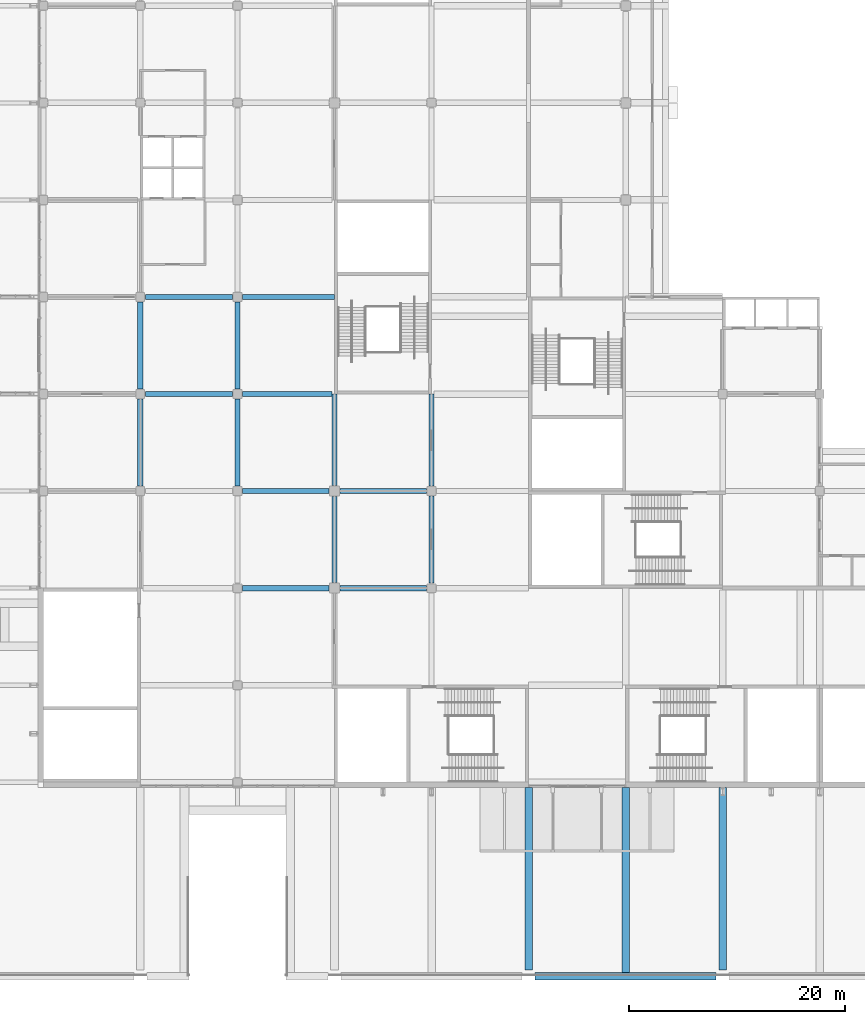
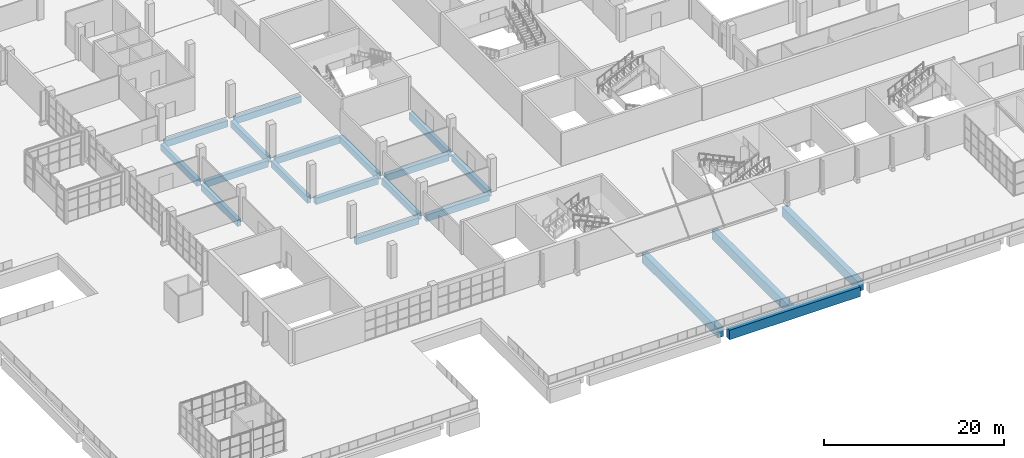
# One storey, part 26 of 168: 20 beams.
"""IFC4 building model written with IfcOpenShell, lengths in metres."""

from ifc_helpers import new_model, si_unit, direction, frame, origin, origin_2d, place, context, subcontext, project, spatial, rectangle, extrude, material, material_profile, profile_set, type_object, element, save


model = new_model("IFC4")

# Units and contexts
model_context = context("Model", 3, precision=1e-05, world=origin(), true_north=direction((0.0, 1.0)))
body_context = subcontext(model_context, "Body", "Model", "MODEL_VIEW")
ifc_project = project(units=[si_unit("LENGTHUNIT", "METRE"), si_unit("AREAUNIT", "SQUARE_METRE"), si_unit("VOLUMEUNIT", "CUBIC_METRE"), si_unit("PLANEANGLEUNIT", "RADIAN"), si_unit("MASSUNIT", "GRAM", prefix="KILO")], contexts=[model_context])

# Site, building, storey
site_placement = place(None, origin())
site = spatial("IfcSite", under=ifc_project, at=site_placement, CompositionType="ELEMENT")
building_placement = place(site_placement, origin())
building = spatial("IfcBuilding", under=site, at=building_placement, Name="Silverbay Arena", CompositionType="ELEMENT")
storey_placement = place(building_placement, frame((0.0, 0.0, 7.0)))
storey = spatial("IfcBuildingStorey", under=building, at=storey_placement, Name="L01", CompositionType="ELEMENT", Elevation=7.0)

# Beams
ifc_material_1 = material(Name="Concrete Grade C45", Category="concrete")
ifc_material_profile_1 = material_profile(ifc_material_1, rectangle(XDim=0.5, YDim=1.0, at=origin_2d()), Name="RC 500x1000")
ifc_profile_set_1 = profile_set([ifc_material_profile_1], Name="Concrete Grade C45")
beam_type_1 = type_object("IfcBeamType", Name="RC beam 500x1000", PredefinedType="BEAM", material=ifc_profile_set_1)
beam_1_placement = place(storey_placement, frame((63.0, 45.449951171875, -0.85009765625), z_axis=(0.0, 1.0, 0.0), x_axis=(-1.0, 0.0, 0.0)))
element("IfcBeam", 1, at=beam_1_placement, inside=storey, type_object=beam_type_1, Name="Floor beam L01 225", PredefinedType="BEAM", context=body_context, shape_type="SweptSolid", body=[
    extrude(rectangle(XDim=0.5, YDim=1.0, at=origin_2d()), origin(), (0.0, 0.0, 1.0), 8.550048828125),
])
ifc_material_2 = material(Name="Concrete Grade C45", Category="concrete")
ifc_material_profile_2 = material_profile(ifc_material_2, rectangle(XDim=0.5, YDim=0.89990234375, at=origin_2d()), Name="RC 500x900")
ifc_profile_set_2 = profile_set([ifc_material_profile_2], Name="Concrete Grade C45")
beam_type_2 = type_object("IfcBeamType", Name="RC beam 500x900", PredefinedType="BEAM", material=ifc_profile_set_2)
for number, where, z_axis, x_axis, name in (
    (2, (45.449951171875, 36.0, -0.800048828125), (1.0, 0.0, 0.0), (0.0, 1.0, 0.0), "Floor beam L01 020"),
    (3, (54.5, 36.0, -0.800048828125), (1.0, 0.0, 0.0), (0.0, 1.0, 0.0), "Floor beam L01 021"),
    (4, (45.449951171875, 45.0, -0.800048828125), (1.0, 0.0, 0.0), (0.0, 1.0, 0.0), "Floor beam L01 029"),
    (5, (54.5, 45.0, -0.800048828125), (1.0, 0.0, 0.0), (0.0, 1.0, 0.0), "Floor beam L01 030"),
):
    element("IfcBeam", number, at=place(storey_placement, frame(where, z_axis=z_axis, x_axis=x_axis)), inside=storey, type_object=beam_type_2, Name=name, PredefinedType="BEAM", context=body_context, shape_type="SweptSolid", body=[
        extrude(rectangle(XDim=0.5, YDim=0.89990234375, at=origin_2d()), origin(), (0.0, 0.0, 1.0), 8.050048828125),
    ])
beam_2_placement = place(storey_placement, frame((36.449951171875, 54.0, -0.800048828125), z_axis=(1.0, 0.0, 0.0), x_axis=(0.0, 1.0, 0.0)))
element("IfcBeam", 6, at=beam_2_placement, inside=storey, type_object=beam_type_2, Name="Floor beam L01 047", PredefinedType="BEAM", context=body_context, shape_type="SweptSolid", body=[
    extrude(rectangle(XDim=0.5, YDim=0.89990234375, at=origin_2d()), origin(), (0.0, 0.0, 1.0), 8.10009765625),
])
beam_3_placement = place(storey_placement, frame((45.449951171875, 54.0, -0.800048828125), z_axis=(1.0, 0.0, 0.0), x_axis=(0.0, 1.0, 0.0)))
element("IfcBeam", 7, at=beam_3_placement, inside=storey, type_object=beam_type_2, Name="Floor beam L01 048", PredefinedType="BEAM", context=body_context, shape_type="SweptSolid", body=[
    extrude(rectangle(XDim=0.5, YDim=0.89990234375, at=origin_2d()), origin(), (0.0, 0.0, 1.0), 8.300048828125),
])
beam_4_placement = place(storey_placement, frame((36.449951171875, 63.0, -0.800048828125), z_axis=(1.0, 0.0, 0.0), x_axis=(0.0, 1.0, 0.0)))
element("IfcBeam", 8, at=beam_4_placement, inside=storey, type_object=beam_type_2, Name="Floor beam L01 063", PredefinedType="BEAM", context=body_context, shape_type="SweptSolid", body=[
    extrude(rectangle(XDim=0.5, YDim=0.89990234375, at=origin_2d()), origin(), (0.0, 0.0, 1.0), 8.10009765625),
])
beam_5_placement = place(storey_placement, frame((45.449951171875, 63.0, -0.800048828125), z_axis=(1.0, 0.0, 0.0), x_axis=(0.0, 1.0, 0.0)))
element("IfcBeam", 9, at=beam_5_placement, inside=storey, type_object=beam_type_2, Name="Floor beam L01 064", PredefinedType="BEAM", context=body_context, shape_type="SweptSolid", body=[
    extrude(rectangle(XDim=0.5, YDim=0.89990234375, at=origin_2d()), origin(), (0.0, 0.0, 1.0), 8.550048828125),
])
for number, where, z_axis, x_axis, name in (
    (10, (36.0, 45.449951171875, -0.800048828125), (0.0, 1.0, 0.0), (-1.0, 0.0, 0.0), "Floor beam L01 192"),
    (11, (36.0, 54.449951171875, -0.800048828125), (0.0, 1.0, 0.0), (-1.0, 0.0, 0.0), "Floor beam L01 193"),
    (12, (45.0, 45.449951171875, -0.800048828125), (0.0, 1.0, 0.0), (-1.0, 0.0, 0.0), "Floor beam L01 204"),
    (13, (45.0, 54.449951171875, -0.800048828125), (0.0, 1.0, 0.0), (-1.0, 0.0, 0.0), "Floor beam L01 205"),
):
    element("IfcBeam", number, at=place(storey_placement, frame(where, z_axis=z_axis, x_axis=x_axis)), inside=storey, type_object=beam_type_2, Name=name, PredefinedType="BEAM", context=body_context, shape_type="SweptSolid", body=[
        extrude(rectangle(XDim=0.5, YDim=0.89990234375, at=origin_2d()), origin(), (0.0, 0.0, 1.0), 8.10009765625),
    ])
beam_6_placement = place(storey_placement, frame((54.0, 36.5, -0.800048828125), z_axis=(0.0, 1.0, 0.0), x_axis=(-1.0, 0.0, 0.0)))
element("IfcBeam", 14, at=beam_6_placement, inside=storey, type_object=beam_type_2, Name="Floor beam L01 216", PredefinedType="BEAM", context=body_context, shape_type="SweptSolid", body=[
    extrude(rectangle(XDim=0.5, YDim=0.89990234375, at=origin_2d()), origin(), (0.0, 0.0, 1.0), 8.0),
])
beam_7_placement = place(storey_placement, frame((54.0, 45.5, -0.800048828125), z_axis=(0.0, 1.0, 0.0), x_axis=(-1.0, 0.0, 0.0)))
element("IfcBeam", 15, at=beam_7_placement, inside=storey, type_object=beam_type_2, Name="Floor beam L01 217", PredefinedType="BEAM", context=body_context, shape_type="SweptSolid", body=[
    extrude(rectangle(XDim=0.5, YDim=0.89990234375, at=origin_2d()), origin(), (0.0, 0.0, 1.0), 8.5),
])
beam_8_placement = place(storey_placement, frame((63.0, 36.449951171875, -0.800048828125), z_axis=(0.0, 1.0, 0.0), x_axis=(-1.0, 0.0, 0.0)))
element("IfcBeam", 16, at=beam_8_placement, inside=storey, type_object=beam_type_2, Name="Floor beam L01 224", PredefinedType="BEAM", context=body_context, shape_type="SweptSolid", body=[
    extrude(rectangle(XDim=0.5, YDim=0.89990234375, at=origin_2d()), origin(), (0.0, 0.0, 1.0), 8.10009765625),
])
ifc_material_3 = material(Name="Concrete Grade C45", Category="concrete")
ifc_material_profile_3 = material_profile(ifc_material_3, rectangle(XDim=0.699951171875, YDim=1.300048828125, at=origin_2d()), Name="RC 700x1300")
ifc_profile_set_3 = profile_set([ifc_material_profile_3], Name="Concrete Grade C45")
beam_type_3 = type_object("IfcBeamType", Name="RC girder 700x1300", PredefinedType="BEAM", material=ifc_profile_set_3)
beam_9_placement = place(storey_placement, frame((72.0, 0.60009765625, -1.10009765625), z_axis=(0.0, 1.0, 0.0), x_axis=(-1.0, 0.0, 0.0)))
element("IfcBeam", 17, at=beam_9_placement, inside=storey, type_object=beam_type_3, Name="Deck secondary beam 107", PredefinedType="BEAM", context=body_context, shape_type="SweptSolid", body=[
    extrude(rectangle(XDim=0.699951171875, YDim=1.300048828125, at=origin_2d()), origin(), (0.0, 0.0, 1.0), 16.89990234375),
])
beam_10_placement = place(storey_placement, frame((81.0, 0.35009765625, -1.10009765625), z_axis=(0.0, 1.0, 0.0), x_axis=(-1.0, 0.0, 0.0)))
element("IfcBeam", 18, at=beam_10_placement, inside=storey, type_object=beam_type_3, Name="Deck secondary beam 109", PredefinedType="BEAM", context=body_context, shape_type="SweptSolid", body=[
    extrude(rectangle(XDim=0.699951171875, YDim=1.300048828125, at=origin_2d()), origin(), (0.0, 0.0, 1.0), 17.14990234375),
])
beam_11_placement = place(storey_placement, frame((90.0, 0.60009765625, -1.10009765625), z_axis=(0.0, 1.0, 0.0), x_axis=(-1.0, 0.0, 0.0)))
element("IfcBeam", 19, at=beam_11_placement, inside=storey, type_object=beam_type_3, Name="Deck secondary beam 111", PredefinedType="BEAM", context=body_context, shape_type="SweptSolid", body=[
    extrude(rectangle(XDim=0.699951171875, YDim=1.300048828125, at=origin_2d()), origin(), (0.0, 0.0, 1.0), 16.89990234375),
])
beam_12_placement = place(storey_placement, frame((72.60009765625, 0.0, -1.10009765625), z_axis=(1.0, 0.0, 0.0), x_axis=(0.0, 1.0, 0.0)))
element("IfcBeam", 20, at=beam_12_placement, inside=storey, type_object=beam_type_3, Name="Deck girder 139", PredefinedType="BEAM", context=body_context, shape_type="SweptSolid", body=[
    extrude(rectangle(XDim=0.699951171875, YDim=1.300048828125, at=origin_2d()), origin(), (0.0, 0.0, 1.0), 16.7998046875),
])

save(model, "model.ifc")
